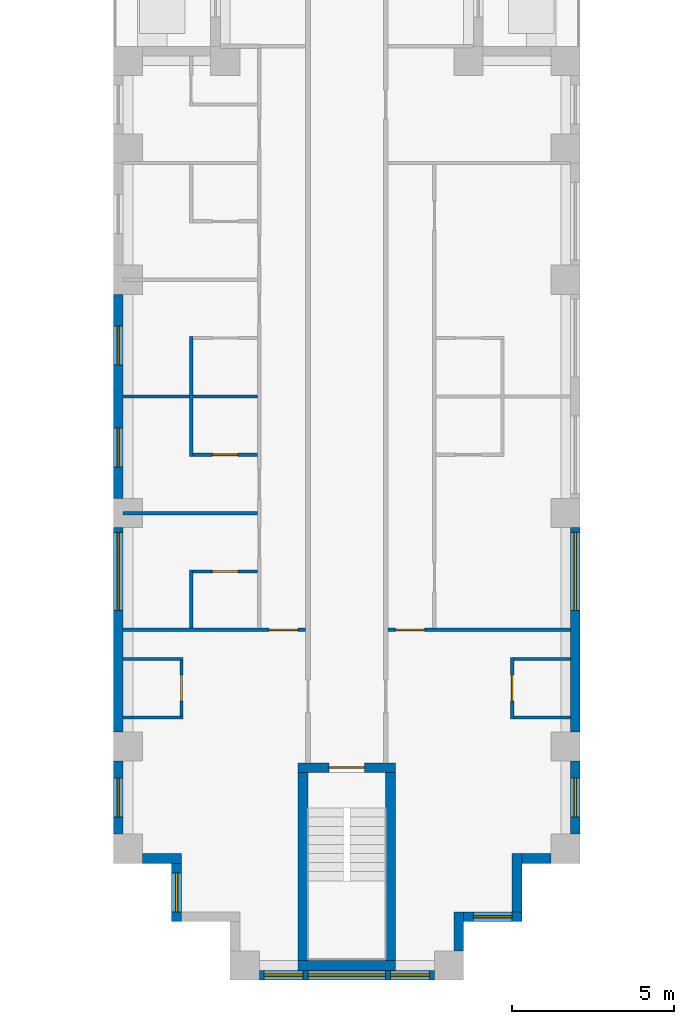
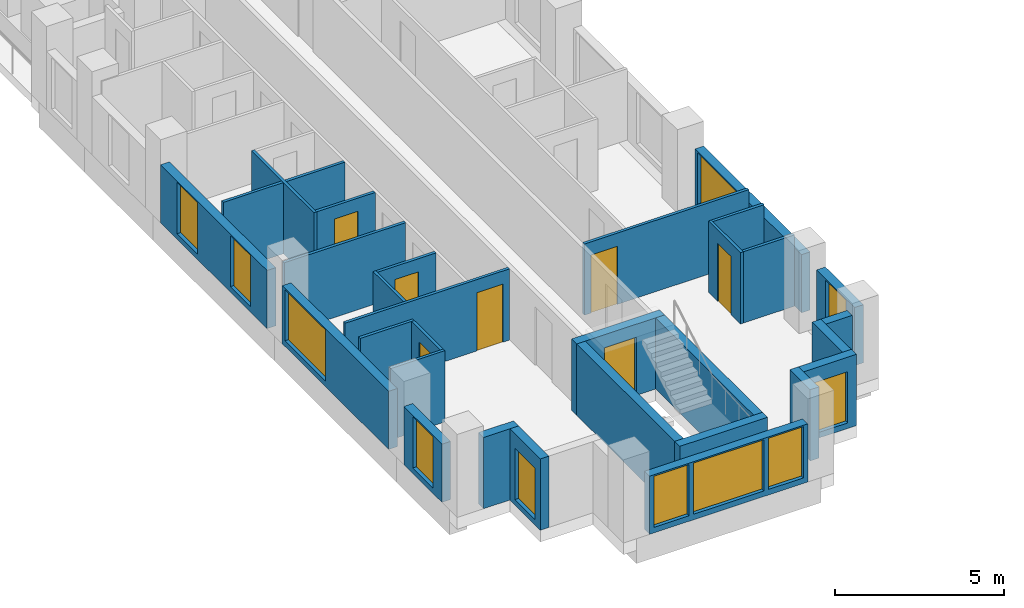
# One storey, part 3 of 15: 30 walls, 11 windows, 7 doors, 18 openings.
"""IFC4 building model written with IfcOpenShell, lengths in metres."""

from ifc_helpers import new_model, si_unit, direction, frame, frame_2d, origin, place, context, subcontext, project, spatial, rectangle, extrude, material, layer, layer_set, type_object, element, fill, save


model = new_model("IFC4")

# Units and contexts
model_context = context("Model", 3, precision=1e-05, world=origin(), true_north=direction((0.0, 1.0)))
body_context = subcontext(model_context, "Body", "Model", "MODEL_VIEW")
ifc_project = project(units=[si_unit("LENGTHUNIT", "METRE"), si_unit("AREAUNIT", "SQUARE_METRE"), si_unit("VOLUMEUNIT", "CUBIC_METRE"), si_unit("PLANEANGLEUNIT", "RADIAN"), si_unit("MASSUNIT", "GRAM", prefix="KILO")], contexts=[model_context])

# Site, building, storey
site_placement = place(None, origin())
site = spatial("IfcSite", under=ifc_project, at=site_placement, CompositionType="ELEMENT")
building_placement = place(site_placement, origin())
building = spatial("IfcBuilding", under=site, at=building_placement, Name="Fustian Cross Tower", CompositionType="ELEMENT")
storey_placement = place(building_placement, frame((0.0, 0.0, 17.699951171875)))
storey = spatial("IfcBuildingStorey", under=building, at=storey_placement, Name="L04", CompositionType="ELEMENT", Elevation=17.699951171875)

# Walls
ifc_material_1 = material(Name="Plasterboard on steel stud", Category="steel")
ifc_layer_1 = layer(ifc_material_1, 0.10009765625)
ifc_layer_set_1 = layer_set([ifc_layer_1], Name="Plasterboard on steel stud")
wall_type_1 = type_object("IfcWallType", Name="PARTITION 100 STUD", PredefinedType="PARTITIONING", material=ifc_layer_set_1)
for number, where, z_axis, x_axis, name in (
    (1, (-6.89990234375, -35.10009765625, 0.0), (0.0, 0.0, 1.0), (1.0, 0.0, 0.0), "Partition 10"),
    (2, (-6.89990234375, -33.300048828125, 0.0), (0.0, 0.0, 1.0), (1.0, 0.0, 0.0), "Partition 11"),
):
    element("IfcWall", number, at=place(storey_placement, frame(where, z_axis=z_axis, x_axis=x_axis)), inside=storey, type_object=wall_type_1, Name=name, PredefinedType="PARTITIONING", context=body_context, shape_type="SweptSolid", body=[
        extrude(rectangle(XDim=1.849853515625, YDim=0.10009765625, at=frame_2d((0.9248046875, 0.0))), origin(), (0.0, 0.0, 1.0), 2.574951171875),
    ])

# Wall, opening, door
wall_1_placement = place(storey_placement, frame((-6.89990234375, -32.39990234375, 0.0), z_axis=(0.0, 0.0, 1.0), x_axis=(1.0, 0.0, 0.0)))
wall_1 = element("IfcWall", 3, at=wall_1_placement, inside=storey, type_object=wall_type_1, Name="Partition 12", PredefinedType="PARTITIONING", context=body_context, shape_type="SweptSolid", body=[
    extrude(rectangle(XDim=5.625, YDim=0.10009765625, at=frame_2d((2.8125, 0.0))), origin(), (0.0, 0.0, 1.0), 2.574951171875),
])
opening_1_placement = place(wall_1_placement, frame((4.5, 0.0, 0.0)))
opening_1 = element("IfcOpeningElement", 4, at=opening_1_placement, cuts=wall_1, Name="Opening D04073", PredefinedType="OPENING", context=body_context, shape_type="SweptSolid", body=[
    extrude(rectangle(XDim=0.89990234375, YDim=2.10009765625, at=frame_2d((0.449951171875, 1.050048828125))), frame((0.0, 0.06005859375, 0.0), z_axis=(0.0, -1.0, 0.0), x_axis=(1.0, 0.0, 0.0)), (0.0, 0.0, 1.0), 0.1201171875),
])
ifc_material_2 = material(Name="Painted timber", Category="wood")
door_type_1 = type_object("IfcDoorType", Name="SWING DOOR 900", OperationType="SINGLE_SWING_LEFT", PredefinedType="DOOR", material=ifc_material_2)
door_1_placement = place(opening_1_placement, origin())
door_1 = element("IfcDoor", 5, at=door_1_placement, inside=storey, type_object=door_type_1, Name="Door D04073", OperationType="SINGLE_SWING_LEFT", OverallHeight=2.10009765625, OverallWidth=0.89990234375, PredefinedType="DOOR", context=body_context, shape_type="SweptSolid", body=[
    extrude(rectangle(XDim=0.89990234375, YDim=2.10009765625, at=frame_2d((0.449951171875, 1.050048828125))), frame((0.0, 0.02490234375, 0.0), z_axis=(0.0, -1.0, 0.0), x_axis=(1.0, 0.0, 0.0)), (0.0, 0.0, 1.0), 0.050048828125),
])
fill(opening_1, door_1)

# Walls
for number, where, z_axis, x_axis, name in (
    (6, (-6.89990234375, -28.800048828125, 0.0), (0.0, 0.0, 1.0), (1.0, 0.0, 0.0), "Partition 13"),
    (7, (-6.89990234375, -25.199951171875, 0.0), (0.0, 0.0, 1.0), (1.0, 0.0, 0.0), "Partition 14"),
):
    element("IfcWall", number, at=place(storey_placement, frame(where, z_axis=z_axis, x_axis=x_axis)), inside=storey, type_object=wall_type_1, Name=name, PredefinedType="PARTITIONING", context=body_context, shape_type="SweptSolid", body=[
        extrude(rectangle(XDim=4.14990234375, YDim=0.10009765625, at=frame_2d((2.074951171875, 0.0))), origin(), (0.0, 0.0, 1.0), 2.574951171875),
    ])

# Wall, opening, door
wall_2_placement = place(storey_placement, frame((-5.10009765625, -35.050048828125, 0.0), z_axis=(0.0, 0.0, 1.0), x_axis=(0.0, 1.0, 0.0)))
wall_2 = element("IfcWall", 8, at=wall_2_placement, inside=storey, type_object=wall_type_1, Name="Partition 24", PredefinedType="PARTITIONING", context=body_context, shape_type="SweptSolid", body=[
    extrude(rectangle(XDim=1.699951171875, YDim=0.10009765625, at=frame_2d((0.85009765625, 0.0))), origin(), (0.0, 0.0, 1.0), 2.574951171875),
])
opening_2_placement = place(wall_2_placement, frame((0.449951171875, 0.0, 0.0)))
opening_2 = element("IfcOpeningElement", 9, at=opening_2_placement, cuts=wall_2, Name="Opening D04066", PredefinedType="OPENING", context=body_context, shape_type="SweptSolid", body=[
    extrude(rectangle(XDim=0.800048828125, YDim=2.10009765625, at=frame_2d((0.39990234375, 1.050048828125))), frame((0.0, 0.06005859375, 0.0), z_axis=(0.0, -1.0, 0.0), x_axis=(1.0, 0.0, 0.0)), (0.0, 0.0, 1.0), 0.1201171875),
])
ifc_material_3 = material(Name="Painted timber", Category="wood")
door_type_2 = type_object("IfcDoorType", Name="SWING DOOR 800", OperationType="SINGLE_SWING_LEFT", PredefinedType="DOOR", material=ifc_material_3)
door_2_placement = place(opening_2_placement, origin())
door_2 = element("IfcDoor", 10, at=door_2_placement, inside=storey, type_object=door_type_2, Name="Door D04066", OperationType="SINGLE_SWING_RIGHT", OverallHeight=2.10009765625, OverallWidth=0.800048828125, PredefinedType="DOOR", context=body_context, shape_type="SweptSolid", body=[
    extrude(rectangle(XDim=0.800048828125, YDim=2.10009765625, at=frame_2d((0.39990234375, 1.050048828125))), frame((0.0, 0.02490234375, 0.0), z_axis=(0.0, -1.0, 0.0), x_axis=(1.0, 0.0, 0.0)), (0.0, 0.0, 1.0), 0.050048828125),
])
fill(opening_2, door_2)

# Wall
wall_3_placement = place(storey_placement, frame((-4.800048828125, -32.35009765625, 0.0), z_axis=(0.0, 0.0, 1.0), x_axis=(0.0, 1.0, 0.0)))
element("IfcWall", 11, at=wall_3_placement, inside=storey, type_object=wall_type_1, Name="Partition 26", PredefinedType="PARTITIONING", context=body_context, shape_type="SweptSolid", body=[
    extrude(rectangle(XDim=1.800048828125, YDim=0.10009765625, at=frame_2d((0.89990234375, 0.0))), origin(), (0.0, 0.0, 1.0), 2.574951171875),
])

# Wall, opening, door
wall_4_placement = place(storey_placement, frame((-4.75, -30.60009765625, 0.0), z_axis=(0.0, 0.0, 1.0), x_axis=(1.0, 0.0, 0.0)))
wall_4 = element("IfcWall", 12, at=wall_4_placement, inside=storey, type_object=wall_type_1, Name="Partition 27", PredefinedType="PARTITIONING", context=body_context, shape_type="SweptSolid", body=[
    extrude(rectangle(XDim=2.0, YDim=0.10009765625, at=frame_2d((1.0, 0.0))), origin(), (0.0, 0.0, 1.0), 2.574951171875),
])
opening_3_placement = place(wall_4_placement, frame((0.60009765625, 0.0, 0.0)))
opening_3 = element("IfcOpeningElement", 13, at=opening_3_placement, cuts=wall_4, Name="Opening D04078", PredefinedType="OPENING", context=body_context, shape_type="SweptSolid", body=[
    extrude(rectangle(XDim=0.800048828125, YDim=2.10009765625, at=frame_2d((0.39990234375, 1.050048828125))), frame((0.0, 0.06005859375, 0.0), z_axis=(0.0, -1.0, 0.0), x_axis=(1.0, 0.0, 0.0)), (0.0, 0.0, 1.0), 0.1201171875),
])
door_3_placement = place(opening_3_placement, frame((0.800048828125, 0.0, 0.0), z_axis=(0.0, 0.0, 1.0), x_axis=(-1.0, 0.0, 0.0)))
door_3 = element("IfcDoor", 14, at=door_3_placement, inside=storey, type_object=door_type_2, Name="Door D04078", OperationType="SINGLE_SWING_RIGHT", OverallHeight=2.10009765625, OverallWidth=0.800048828125, PredefinedType="DOOR", context=body_context, shape_type="SweptSolid", body=[
    extrude(rectangle(XDim=0.800048828125, YDim=2.10009765625, at=frame_2d((0.39990234375, 1.050048828125))), frame((0.0, 0.02490234375, 0.0), z_axis=(0.0, -1.0, 0.0), x_axis=(1.0, 0.0, 0.0)), (0.0, 0.0, 1.0), 0.050048828125),
])
fill(opening_3, door_3)

# Wall
wall_5_placement = place(storey_placement, frame((-4.800048828125, -27.050048828125, 0.0), z_axis=(0.0, 0.0, 1.0), x_axis=(0.0, 1.0, 0.0)))
element("IfcWall", 15, at=wall_5_placement, inside=storey, type_object=wall_type_1, Name="Partition 28", PredefinedType="PARTITIONING", context=body_context, shape_type="SweptSolid", body=[
    extrude(rectangle(XDim=3.699951171875, YDim=0.10009765625, at=frame_2d((1.85009765625, 0.0))), origin(), (0.0, 0.0, 1.0), 2.574951171875),
])

# Wall, opening, door
wall_6_placement = place(storey_placement, frame((-4.75, -27.0, 0.0), z_axis=(0.0, 0.0, 1.0), x_axis=(1.0, 0.0, 0.0)))
wall_6 = element("IfcWall", 16, at=wall_6_placement, inside=storey, type_object=wall_type_1, Name="Partition 29", PredefinedType="PARTITIONING", context=body_context, shape_type="SweptSolid", body=[
    extrude(rectangle(XDim=2.0, YDim=0.10009765625, at=frame_2d((1.0, 0.0))), origin(), (0.0, 0.0, 1.0), 2.574951171875),
])
opening_4_placement = place(wall_6_placement, frame((0.60009765625, 0.0, 0.0)))
opening_4 = element("IfcOpeningElement", 17, at=opening_4_placement, cuts=wall_6, Name="Opening D04077", PredefinedType="OPENING", context=body_context, shape_type="SweptSolid", body=[
    extrude(rectangle(XDim=0.800048828125, YDim=2.10009765625, at=frame_2d((0.39990234375, 1.050048828125))), frame((0.0, 0.06005859375, 0.0), z_axis=(0.0, -1.0, 0.0), x_axis=(1.0, 0.0, 0.0)), (0.0, 0.0, 1.0), 0.1201171875),
])
door_4_placement = place(opening_4_placement, origin())
door_4 = element("IfcDoor", 18, at=door_4_placement, inside=storey, type_object=door_type_2, Name="Door D04077", OperationType="SINGLE_SWING_LEFT", OverallHeight=2.10009765625, OverallWidth=0.800048828125, PredefinedType="DOOR", context=body_context, shape_type="SweptSolid", body=[
    extrude(rectangle(XDim=0.800048828125, YDim=2.10009765625, at=frame_2d((0.39990234375, 1.050048828125))), frame((0.0, 0.02490234375, 0.0), z_axis=(0.0, -1.0, 0.0), x_axis=(1.0, 0.0, 0.0)), (0.0, 0.0, 1.0), 0.050048828125),
])
fill(opening_4, door_4)

wall_7_placement = place(storey_placement, frame((1.27490234375, -32.39990234375, 0.0), z_axis=(0.0, 0.0, 1.0), x_axis=(1.0, 0.0, 0.0)))
wall_7 = element("IfcWall", 19, at=wall_7_placement, inside=storey, type_object=wall_type_1, Name="Partition 57", PredefinedType="PARTITIONING", context=body_context, shape_type="SweptSolid", body=[
    extrude(rectangle(XDim=5.625, YDim=0.10009765625, at=frame_2d((2.8125, 0.0))), origin(), (0.0, 0.0, 1.0), 2.574951171875),
])
opening_5_placement = place(wall_7_placement, frame((0.22509765625, 0.0, 0.0)))
opening_5 = element("IfcOpeningElement", 20, at=opening_5_placement, cuts=wall_7, Name="Opening D04060", PredefinedType="OPENING", context=body_context, shape_type="SweptSolid", body=[
    extrude(rectangle(XDim=0.89990234375, YDim=2.10009765625, at=frame_2d((0.449951171875, 1.050048828125))), frame((0.0, 0.06005859375, 0.0), z_axis=(0.0, -1.0, 0.0), x_axis=(1.0, 0.0, 0.0)), (0.0, 0.0, 1.0), 0.1201171875),
])
door_5_placement = place(opening_5_placement, origin())
door_5 = element("IfcDoor", 21, at=door_5_placement, inside=storey, type_object=door_type_1, Name="Door D04060", OperationType="SINGLE_SWING_LEFT", OverallHeight=2.10009765625, OverallWidth=0.89990234375, PredefinedType="DOOR", context=body_context, shape_type="SweptSolid", body=[
    extrude(rectangle(XDim=0.89990234375, YDim=2.10009765625, at=frame_2d((0.449951171875, 1.050048828125))), frame((0.0, 0.02490234375, 0.0), z_axis=(0.0, -1.0, 0.0), x_axis=(1.0, 0.0, 0.0)), (0.0, 0.0, 1.0), 0.050048828125),
])
fill(opening_5, door_5)

wall_8_placement = place(storey_placement, frame((5.10009765625, -35.14990234375, 0.0), z_axis=(0.0, 0.0, 1.0), x_axis=(0.0, 1.0, 0.0)))
wall_8 = element("IfcWall", 22, at=wall_8_placement, inside=storey, type_object=wall_type_1, Name="Partition 92", PredefinedType="PARTITIONING", context=body_context, shape_type="SweptSolid", body=[
    extrude(rectangle(XDim=1.89990234375, YDim=0.10009765625, at=frame_2d((0.949951171875, 0.0))), origin(), (0.0, 0.0, 1.0), 2.574951171875),
])
opening_6_placement = place(wall_8_placement, frame((0.550048828125, 0.0, 0.0)))
opening_6 = element("IfcOpeningElement", 23, at=opening_6_placement, cuts=wall_8, Name="Opening D04058", PredefinedType="OPENING", context=body_context, shape_type="SweptSolid", body=[
    extrude(rectangle(XDim=0.800048828125, YDim=2.10009765625, at=frame_2d((0.39990234375, 1.050048828125))), frame((0.0, 0.06005859375, 0.0), z_axis=(0.0, -1.0, 0.0), x_axis=(1.0, 0.0, 0.0)), (0.0, 0.0, 1.0), 0.1201171875),
])
door_6_placement = place(opening_6_placement, frame((0.800048828125, 0.0, 0.0), z_axis=(0.0, 0.0, 1.0), x_axis=(-1.0, 0.0, 0.0)))
door_6 = element("IfcDoor", 24, at=door_6_placement, inside=storey, type_object=door_type_2, Name="Door D04058", OperationType="SINGLE_SWING_LEFT", OverallHeight=2.10009765625, OverallWidth=0.800048828125, PredefinedType="DOOR", context=body_context, shape_type="SweptSolid", body=[
    extrude(rectangle(XDim=0.800048828125, YDim=2.10009765625, at=frame_2d((0.39990234375, 1.050048828125))), frame((0.0, 0.02490234375, 0.0), z_axis=(0.0, -1.0, 0.0), x_axis=(1.0, 0.0, 0.0)), (0.0, 0.0, 1.0), 0.050048828125),
])
fill(opening_6, door_6)

# Walls
for number, where, z_axis, x_axis, name in (
    (25, (5.14990234375, -35.10009765625, 0.0), (0.0, 0.0, 1.0), (1.0, 0.0, 0.0), "Partition 93"),
    (26, (5.14990234375, -33.300048828125, 0.0), (0.0, 0.0, 1.0), (1.0, 0.0, 0.0), "Partition 94"),
):
    element("IfcWall", number, at=place(storey_placement, frame(where, z_axis=z_axis, x_axis=x_axis)), inside=storey, type_object=wall_type_1, Name=name, PredefinedType="PARTITIONING", context=body_context, shape_type="SweptSolid", body=[
        extrude(rectangle(XDim=1.75, YDim=0.10009765625, at=frame_2d((0.875, 0.0))), origin(), (0.0, 0.0, 1.0), 2.574951171875),
    ])

# Wall, opening, door
ifc_material_4 = material(Name="Concrete C50/60", Category="concrete")
ifc_layer_2 = layer(ifc_material_4, 0.300048828125)
ifc_layer_set_2 = layer_set([ifc_layer_2], Name="Concrete C50/60")
wall_type_2 = type_object("IfcWallType", Name="STAIR ENCLOSURE WALL 300 C50/60", PredefinedType="SHEAR", material=ifc_layer_set_2)
wall_9_placement = place(storey_placement, frame((-1.5, -36.64990234375, 0.0), z_axis=(0.0, 0.0, 1.0), x_axis=(1.0, 0.0, 0.0)))
wall_9 = element("IfcWall", 27, at=wall_9_placement, inside=storey, type_object=wall_type_2, Name="Stair enclosure wall", PredefinedType="SHEAR", context=body_context, shape_type="SweptSolid", body=[
    extrude(rectangle(XDim=3.0, YDim=0.300048828125, at=frame_2d((1.5, 0.0))), origin(), (0.0, 0.0, 1.0), 2.574951171875),
])
opening_7_placement = place(wall_9_placement, frame((0.949951171875, 0.0, 0.0)))
opening_7 = element("IfcOpeningElement", 28, at=opening_7_placement, cuts=wall_9, Name="Opening CD-04-30", PredefinedType="OPENING", context=body_context, shape_type="SweptSolid", body=[
    extrude(rectangle(XDim=1.10009765625, YDim=2.10009765625, at=frame_2d((0.550048828125, 1.050048828125))), frame((0.0, 0.159912109375, 0.0), z_axis=(0.0, -1.0, 0.0), x_axis=(1.0, 0.0, 0.0)), (0.0, 0.0, 1.0), 0.320068359375),
])
ifc_material_5 = material(Name="Steel", Category="steel")
door_type_3 = type_object("IfcDoorType", Name="FIRE DOOR FD60S 1100X2100", OperationType="SINGLE_SWING_LEFT", PredefinedType="DOOR", material=ifc_material_5)
door_7_placement = place(opening_7_placement, frame((1.10009765625, 0.0, 0.0), z_axis=(0.0, 0.0, 1.0), x_axis=(-1.0, 0.0, 0.0)))
door_7 = element("IfcDoor", 29, at=door_7_placement, inside=storey, type_object=door_type_3, Name="Core door CD-04-30", OperationType="SINGLE_SWING_RIGHT", OverallHeight=2.10009765625, OverallWidth=1.10009765625, PredefinedType="DOOR", context=body_context, shape_type="SweptSolid", body=[
    extrude(rectangle(XDim=1.10009765625, YDim=2.10009765625, at=frame_2d((0.550048828125, 1.050048828125))), frame((0.0, 0.02490234375, 0.0), z_axis=(0.0, -1.0, 0.0), x_axis=(1.0, 0.0, 0.0)), (0.0, 0.0, 1.0), 0.050048828125),
])
fill(opening_7, door_7)

# Walls
wall_10_placement = place(storey_placement, frame((-1.5, -42.75, 0.0), z_axis=(0.0, 0.0, 1.0), x_axis=(1.0, 0.0, 0.0)))
element("IfcWall", 30, at=wall_10_placement, inside=storey, type_object=wall_type_2, Name="Stair enclosure wall", PredefinedType="SHEAR", context=body_context, shape_type="SweptSolid", body=[
    extrude(rectangle(XDim=3.0, YDim=0.300048828125, at=frame_2d((1.5, 0.0))), origin(), (0.0, 0.0, 1.0), 2.574951171875),
])
for number, where, z_axis, x_axis, name in (
    (31, (-1.35009765625, -36.800048828125, 0.0), (0.0, 0.0, 1.0), (0.0, -1.0, 0.0), "Stair enclosure wall"),
    (32, (1.35009765625, -36.800048828125, 0.0), (0.0, 0.0, 1.0), (0.0, -1.0, 0.0), "Stair enclosure wall"),
):
    element("IfcWall", number, at=place(storey_placement, frame(where, z_axis=z_axis, x_axis=x_axis)), inside=storey, type_object=wall_type_2, Name=name, PredefinedType="SHEAR", context=body_context, shape_type="SweptSolid", body=[
        extrude(rectangle(XDim=5.800048828125, YDim=0.300048828125, at=frame_2d((2.89990234375, 0.0))), origin(), (0.0, 0.0, 1.0), 2.574951171875),
    ])

# Wall, openings, windows
ifc_material_6 = material(Name="Dark aluminium cladding on insulated backing wall", Category="aluminium")
ifc_layer_3 = layer(ifc_material_6, 0.300048828125)
ifc_layer_set_3 = layer_set([ifc_layer_3], Name="Dark aluminium cladding on insulated backing wall")
wall_type_3 = type_object("IfcWallType", Name="XW1 EXTERNAL WALL 300", PredefinedType="SOLIDWALL", material=ifc_layer_set_3)
wall_11_placement = place(storey_placement, frame((-7.050048828125, -22.050048828125, 0.0), z_axis=(0.0, 0.0, 1.0), x_axis=(0.0, -1.0, 0.0)))
wall_11 = element("IfcWall", 33, at=wall_11_placement, inside=storey, type_object=wall_type_3, Name="External wall", PredefinedType="SOLIDWALL", context=body_context, shape_type="SweptSolid", body=[
    extrude(rectangle(XDim=6.300048828125, YDim=0.300048828125, at=frame_2d((3.14990234375, 0.0))), origin(), (0.0, 0.0, 1.0), 2.10009765625),
])
opening_8_placement = place(wall_11_placement, frame((0.97509765625, 0.0, 0.199951171875)))
opening_8 = element("IfcOpeningElement", 34, at=opening_8_placement, cuts=wall_11, Name="Opening WN3", PredefinedType="OPENING", context=body_context, shape_type="SweptSolid", body=[
    extrude(rectangle(XDim=1.199951171875, YDim=1.85009765625, at=frame_2d((0.60009765625, 0.925048828125))), frame((0.0, 0.159912109375, 0.0), z_axis=(0.0, -1.0, 0.0), x_axis=(1.0, 0.0, 0.0)), (0.0, 0.0, 1.0), 0.320068359375),
])
opening_9_placement = place(wall_11_placement, frame((4.125, 0.0, 0.199951171875)))
opening_9 = element("IfcOpeningElement", 35, at=opening_9_placement, cuts=wall_11, Name="Opening WN3", PredefinedType="OPENING", context=body_context, shape_type="SweptSolid", body=[
    extrude(rectangle(XDim=1.199951171875, YDim=1.85009765625, at=frame_2d((0.60009765625, 0.925048828125))), frame((0.0, 0.159912109375, 0.0), z_axis=(0.0, -1.0, 0.0), x_axis=(1.0, 0.0, 0.0)), (0.0, 0.0, 1.0), 0.320068359375),
])
ifc_material_7 = material(Name="Dark anodised aluminium and double glazing", Category="aluminium")
window_type_1 = type_object("IfcWindowType", Name="WN3 WINDOW 1200X1850", PartitioningType="SINGLE_PANEL", PredefinedType="WINDOW", material=ifc_material_7)
window_1_placement = place(opening_8_placement, origin())
window_1 = element("IfcWindow", 36, at=window_1_placement, inside=storey, type_object=window_type_1, Name="Window", OverallHeight=1.85009765625, OverallWidth=1.199951171875, PartitioningType="SINGLE_PANEL", PredefinedType="WINDOW", context=body_context, shape_type="SweptSolid", body=[
    extrude(rectangle(XDim=1.199951171875, YDim=1.85009765625, at=frame_2d((0.60009765625, 0.925048828125))), frame((0.0, 0.030029296875, 0.0), z_axis=(0.0, -1.0, 0.0), x_axis=(1.0, 0.0, 0.0)), (0.0, 0.0, 1.0), 0.06005859375),
])
fill(opening_8, window_1)
window_2_placement = place(opening_9_placement, origin())
window_2 = element("IfcWindow", 37, at=window_2_placement, inside=storey, type_object=window_type_1, Name="Window", OverallHeight=1.85009765625, OverallWidth=1.199951171875, PartitioningType="SINGLE_PANEL", PredefinedType="WINDOW", context=body_context, shape_type="SweptSolid", body=[
    extrude(rectangle(XDim=1.199951171875, YDim=1.85009765625, at=frame_2d((0.60009765625, 0.925048828125))), frame((0.0, 0.030029296875, 0.0), z_axis=(0.0, -1.0, 0.0), x_axis=(1.0, 0.0, 0.0)), (0.0, 0.0, 1.0), 0.06005859375),
])
fill(opening_9, window_2)

# Wall, opening, window
wall_12_placement = place(storey_placement, frame((-7.050048828125, -29.25, 0.0), z_axis=(0.0, 0.0, 1.0), x_axis=(0.0, -1.0, 0.0)))
wall_12 = element("IfcWall", 38, at=wall_12_placement, inside=storey, type_object=wall_type_3, Name="External wall", PredefinedType="SOLIDWALL", context=body_context, shape_type="SweptSolid", body=[
    extrude(rectangle(XDim=6.300048828125, YDim=0.300048828125, at=frame_2d((3.14990234375, 0.0))), origin(), (0.0, 0.0, 1.0), 2.10009765625),
])
opening_10_placement = place(wall_12_placement, frame((0.14990234375, 0.0, 0.199951171875)))
opening_10 = element("IfcOpeningElement", 39, at=opening_10_placement, cuts=wall_12, Name="Opening WN1", PredefinedType="OPENING", context=body_context, shape_type="SweptSolid", body=[
    extrude(rectangle(XDim=2.39990234375, YDim=1.85009765625, at=frame_2d((1.199951171875, 0.925048828125))), frame((0.0, 0.159912109375, 0.0), z_axis=(0.0, -1.0, 0.0), x_axis=(1.0, 0.0, 0.0)), (0.0, 0.0, 1.0), 0.320068359375),
])
ifc_material_8 = material(Name="Dark anodised aluminium and double glazing", Category="aluminium")
window_type_2 = type_object("IfcWindowType", Name="WN1 WINDOW 2400X1850", PartitioningType="SINGLE_PANEL", PredefinedType="WINDOW", material=ifc_material_8)
window_3_placement = place(opening_10_placement, origin())
window_3 = element("IfcWindow", 40, at=window_3_placement, inside=storey, type_object=window_type_2, Name="Window", OverallHeight=1.85009765625, OverallWidth=2.39990234375, PartitioningType="SINGLE_PANEL", PredefinedType="WINDOW", context=body_context, shape_type="SweptSolid", body=[
    extrude(rectangle(XDim=2.39990234375, YDim=1.85009765625, at=frame_2d((1.199951171875, 0.925048828125))), frame((0.0, 0.030029296875, 0.0), z_axis=(0.0, -1.0, 0.0), x_axis=(1.0, 0.0, 0.0)), (0.0, 0.0, 1.0), 0.06005859375),
])
fill(opening_10, window_3)

wall_13_placement = place(storey_placement, frame((-7.050048828125, -36.449951171875, 0.0), z_axis=(0.0, 0.0, 1.0), x_axis=(0.0, -1.0, 0.0)))
wall_13 = element("IfcWall", 41, at=wall_13_placement, inside=storey, type_object=wall_type_3, Name="External wall", PredefinedType="SOLIDWALL", context=body_context, shape_type="SweptSolid", body=[
    extrude(rectangle(XDim=2.25, YDim=0.300048828125, at=frame_2d((1.125, 0.0))), origin(), (0.0, 0.0, 1.0), 2.10009765625),
])
opening_11_placement = place(wall_13_placement, frame((0.52490234375, 0.0, 0.199951171875)))
opening_11 = element("IfcOpeningElement", 42, at=opening_11_placement, cuts=wall_13, Name="Opening WN3", PredefinedType="OPENING", context=body_context, shape_type="SweptSolid", body=[
    extrude(rectangle(XDim=1.199951171875, YDim=1.85009765625, at=frame_2d((0.60009765625, 0.925048828125))), frame((0.0, 0.159912109375, 0.0), z_axis=(0.0, -1.0, 0.0), x_axis=(1.0, 0.0, 0.0)), (0.0, 0.0, 1.0), 0.320068359375),
])
window_4_placement = place(opening_11_placement, origin())
window_4 = element("IfcWindow", 43, at=window_4_placement, inside=storey, type_object=window_type_1, Name="Window", OverallHeight=1.85009765625, OverallWidth=1.199951171875, PartitioningType="SINGLE_PANEL", PredefinedType="WINDOW", context=body_context, shape_type="SweptSolid", body=[
    extrude(rectangle(XDim=1.199951171875, YDim=1.85009765625, at=frame_2d((0.60009765625, 0.925048828125))), frame((0.0, 0.030029296875, 0.0), z_axis=(0.0, -1.0, 0.0), x_axis=(1.0, 0.0, 0.0)), (0.0, 0.0, 1.0), 0.06005859375),
])
fill(opening_11, window_4)

# Wall
wall_14_placement = place(storey_placement, frame((-6.300048828125, -39.449951171875, 0.0), z_axis=(0.0, 0.0, 1.0), x_axis=(1.0, 0.0, 0.0)))
element("IfcWall", 44, at=wall_14_placement, inside=storey, type_object=wall_type_3, Name="External wall", PredefinedType="SOLIDWALL", context=body_context, shape_type="SweptSolid", body=[
    extrude(rectangle(XDim=1.199951171875, YDim=0.300048828125, at=frame_2d((0.60009765625, 0.0))), origin(), (0.0, 0.0, 1.0), 2.574951171875),
])

# Wall, opening, window
wall_15_placement = place(storey_placement, frame((-5.25, -39.60009765625, 0.0), z_axis=(0.0, 0.0, 1.0), x_axis=(0.0, -1.0, 0.0)))
wall_15 = element("IfcWall", 45, at=wall_15_placement, inside=storey, type_object=wall_type_3, Name="External wall", PredefinedType="SOLIDWALL", context=body_context, shape_type="SweptSolid", body=[
    extrude(rectangle(XDim=1.7998046875, YDim=0.300048828125, at=frame_2d((0.89990234375, 0.0))), origin(), (0.0, 0.0, 1.0), 2.574951171875),
])
opening_12_placement = place(wall_15_placement, frame((0.300048828125, 0.0, 0.199951171875)))
opening_12 = element("IfcOpeningElement", 46, at=opening_12_placement, cuts=wall_15, Name="Opening WN3", PredefinedType="OPENING", context=body_context, shape_type="SweptSolid", body=[
    extrude(rectangle(XDim=1.199951171875, YDim=1.85009765625, at=frame_2d((0.60009765625, 0.925048828125))), frame((0.0, 0.159912109375, 0.0), z_axis=(0.0, -1.0, 0.0), x_axis=(1.0, 0.0, 0.0)), (0.0, 0.0, 1.0), 0.320068359375),
])
window_5_placement = place(opening_12_placement, origin())
window_5 = element("IfcWindow", 47, at=window_5_placement, inside=storey, type_object=window_type_1, Name="Window", OverallHeight=1.85009765625, OverallWidth=1.199951171875, PartitioningType="SINGLE_PANEL", PredefinedType="WINDOW", context=body_context, shape_type="SweptSolid", body=[
    extrude(rectangle(XDim=1.199951171875, YDim=1.85009765625, at=frame_2d((0.60009765625, 0.925048828125))), frame((0.0, 0.030029296875, 0.0), z_axis=(0.0, -1.0, 0.0), x_axis=(1.0, 0.0, 0.0)), (0.0, 0.0, 1.0), 0.06005859375),
])
fill(opening_12, window_5)

# Wall, openings, windows
wall_16_placement = place(storey_placement, frame((-2.699951171875, -43.050048828125, 0.0), z_axis=(0.0, 0.0, 1.0), x_axis=(1.0, 0.0, 0.0)))
wall_16 = element("IfcWall", 48, at=wall_16_placement, inside=storey, type_object=wall_type_3, Name="External wall", PredefinedType="SOLIDWALL", context=body_context, shape_type="SweptSolid", body=[
    extrude(rectangle(XDim=5.39990234375, YDim=0.300048828125, at=frame_2d((2.699951171875, 0.0))), origin(), (0.0, 0.0, 1.0), 2.10009765625),
])
opening_13_placement = place(wall_16_placement, frame((1.5, 0.0, 0.199951171875)))
opening_13 = element("IfcOpeningElement", 49, at=opening_13_placement, cuts=wall_16, Name="Opening WN1", PredefinedType="OPENING", context=body_context, shape_type="SweptSolid", body=[
    extrude(rectangle(XDim=2.39990234375, YDim=1.85009765625, at=frame_2d((1.199951171875, 0.925048828125))), frame((0.0, 0.159912109375, 0.0), z_axis=(0.0, -1.0, 0.0), x_axis=(1.0, 0.0, 0.0)), (0.0, 0.0, 1.0), 0.320068359375),
])
opening_14_placement = place(wall_16_placement, frame((0.14990234375, 0.0, 0.199951171875)))
opening_14 = element("IfcOpeningElement", 50, at=opening_14_placement, cuts=wall_16, Name="Opening WN3", PredefinedType="OPENING", context=body_context, shape_type="SweptSolid", body=[
    extrude(rectangle(XDim=1.199951171875, YDim=1.85009765625, at=frame_2d((0.60009765625, 0.925048828125))), frame((0.0, 0.159912109375, 0.0), z_axis=(0.0, -1.0, 0.0), x_axis=(1.0, 0.0, 0.0)), (0.0, 0.0, 1.0), 0.320068359375),
])
opening_15_placement = place(wall_16_placement, frame((4.050048828125, 0.0, 0.199951171875)))
opening_15 = element("IfcOpeningElement", 51, at=opening_15_placement, cuts=wall_16, Name="Opening WN3", PredefinedType="OPENING", context=body_context, shape_type="SweptSolid", body=[
    extrude(rectangle(XDim=1.199951171875, YDim=1.85009765625, at=frame_2d((0.60009765625, 0.925048828125))), frame((0.0, 0.159912109375, 0.0), z_axis=(0.0, -1.0, 0.0), x_axis=(1.0, 0.0, 0.0)), (0.0, 0.0, 1.0), 0.320068359375),
])
window_6_placement = place(opening_13_placement, origin())
window_6 = element("IfcWindow", 52, at=window_6_placement, inside=storey, type_object=window_type_2, Name="Window", OverallHeight=1.85009765625, OverallWidth=2.39990234375, PartitioningType="SINGLE_PANEL", PredefinedType="WINDOW", context=body_context, shape_type="SweptSolid", body=[
    extrude(rectangle(XDim=2.39990234375, YDim=1.85009765625, at=frame_2d((1.199951171875, 0.925048828125))), frame((0.0, 0.030029296875, 0.0), z_axis=(0.0, -1.0, 0.0), x_axis=(1.0, 0.0, 0.0)), (0.0, 0.0, 1.0), 0.06005859375),
])
fill(opening_13, window_6)
window_7_placement = place(opening_14_placement, origin())
window_7 = element("IfcWindow", 53, at=window_7_placement, inside=storey, type_object=window_type_1, Name="Window", OverallHeight=1.85009765625, OverallWidth=1.199951171875, PartitioningType="SINGLE_PANEL", PredefinedType="WINDOW", context=body_context, shape_type="SweptSolid", body=[
    extrude(rectangle(XDim=1.199951171875, YDim=1.85009765625, at=frame_2d((0.60009765625, 0.925048828125))), frame((0.0, 0.030029296875, 0.0), z_axis=(0.0, -1.0, 0.0), x_axis=(1.0, 0.0, 0.0)), (0.0, 0.0, 1.0), 0.06005859375),
])
fill(opening_14, window_7)
window_8_placement = place(opening_15_placement, origin())
window_8 = element("IfcWindow", 54, at=window_8_placement, inside=storey, type_object=window_type_1, Name="Window", OverallHeight=1.85009765625, OverallWidth=1.199951171875, PartitioningType="SINGLE_PANEL", PredefinedType="WINDOW", context=body_context, shape_type="SweptSolid", body=[
    extrude(rectangle(XDim=1.199951171875, YDim=1.85009765625, at=frame_2d((0.60009765625, 0.925048828125))), frame((0.0, 0.030029296875, 0.0), z_axis=(0.0, -1.0, 0.0), x_axis=(1.0, 0.0, 0.0)), (0.0, 0.0, 1.0), 0.06005859375),
])
fill(opening_15, window_8)

# Wall
wall_17_placement = place(storey_placement, frame((3.449951171875, -42.300048828125, 0.0), z_axis=(0.0, 0.0, 1.0), x_axis=(0.0, 1.0, 0.0)))
element("IfcWall", 55, at=wall_17_placement, inside=storey, type_object=wall_type_3, Name="External wall", PredefinedType="SOLIDWALL", context=body_context, shape_type="SweptSolid", body=[
    extrude(rectangle(XDim=1.199951171875, YDim=0.300048828125, at=frame_2d((0.60009765625, 0.0))), origin(), (0.0, 0.0, 1.0), 2.574951171875),
])

# Wall, opening, window
wall_18_placement = place(storey_placement, frame((3.60009765625, -41.25, 0.0), z_axis=(0.0, 0.0, 1.0), x_axis=(1.0, 0.0, 0.0)))
wall_18 = element("IfcWall", 56, at=wall_18_placement, inside=storey, type_object=wall_type_3, Name="External wall", PredefinedType="SOLIDWALL", context=body_context, shape_type="SweptSolid", body=[
    extrude(rectangle(XDim=1.7998046875, YDim=0.300048828125, at=frame_2d((0.89990234375, 0.0))), origin(), (0.0, 0.0, 1.0), 2.574951171875),
])
opening_16_placement = place(wall_18_placement, frame((0.300048828125, 0.0, 0.199951171875)))
opening_16 = element("IfcOpeningElement", 57, at=opening_16_placement, cuts=wall_18, Name="Opening WN3", PredefinedType="OPENING", context=body_context, shape_type="SweptSolid", body=[
    extrude(rectangle(XDim=1.199951171875, YDim=1.85009765625, at=frame_2d((0.60009765625, 0.925048828125))), frame((0.0, 0.159912109375, 0.0), z_axis=(0.0, -1.0, 0.0), x_axis=(1.0, 0.0, 0.0)), (0.0, 0.0, 1.0), 0.320068359375),
])
window_9_placement = place(opening_16_placement, origin())
window_9 = element("IfcWindow", 58, at=window_9_placement, inside=storey, type_object=window_type_1, Name="Window", OverallHeight=1.85009765625, OverallWidth=1.199951171875, PartitioningType="SINGLE_PANEL", PredefinedType="WINDOW", context=body_context, shape_type="SweptSolid", body=[
    extrude(rectangle(XDim=1.199951171875, YDim=1.85009765625, at=frame_2d((0.60009765625, 0.925048828125))), frame((0.0, 0.030029296875, 0.0), z_axis=(0.0, -1.0, 0.0), x_axis=(1.0, 0.0, 0.0)), (0.0, 0.0, 1.0), 0.06005859375),
])
fill(opening_16, window_9)

# Walls
wall_19_placement = place(storey_placement, frame((5.25, -41.10009765625, 0.0), z_axis=(0.0, 0.0, 1.0), x_axis=(0.0, 1.0, 0.0)))
element("IfcWall", 59, at=wall_19_placement, inside=storey, type_object=wall_type_3, Name="External wall", PredefinedType="SOLIDWALL", context=body_context, shape_type="SweptSolid", body=[
    extrude(rectangle(XDim=1.800048828125, YDim=0.300048828125, at=frame_2d((0.89990234375, 0.0))), origin(), (0.0, 0.0, 1.0), 2.574951171875),
])
wall_20_placement = place(storey_placement, frame((5.39990234375, -39.449951171875, 0.0), z_axis=(0.0, 0.0, 1.0), x_axis=(1.0, 0.0, 0.0)))
element("IfcWall", 60, at=wall_20_placement, inside=storey, type_object=wall_type_3, Name="External wall", PredefinedType="SOLIDWALL", context=body_context, shape_type="SweptSolid", body=[
    extrude(rectangle(XDim=0.900146484375, YDim=0.300048828125, at=frame_2d((0.4501953125, 0.0))), origin(), (0.0, 0.0, 1.0), 2.574951171875),
])

# Wall, opening, window
wall_21_placement = place(storey_placement, frame((7.050048828125, -38.699951171875, 0.0), z_axis=(0.0, 0.0, 1.0), x_axis=(0.0, 1.0, 0.0)))
wall_21 = element("IfcWall", 61, at=wall_21_placement, inside=storey, type_object=wall_type_3, Name="External wall", PredefinedType="SOLIDWALL", context=body_context, shape_type="SweptSolid", body=[
    extrude(rectangle(XDim=2.25, YDim=0.300048828125, at=frame_2d((1.125, 0.0))), origin(), (0.0, 0.0, 1.0), 2.10009765625),
])
opening_17_placement = place(wall_21_placement, frame((0.52490234375, 0.0, 0.199951171875)))
opening_17 = element("IfcOpeningElement", 62, at=opening_17_placement, cuts=wall_21, Name="Opening WN3", PredefinedType="OPENING", context=body_context, shape_type="SweptSolid", body=[
    extrude(rectangle(XDim=1.199951171875, YDim=1.85009765625, at=frame_2d((0.60009765625, 0.925048828125))), frame((0.0, 0.159912109375, 0.0), z_axis=(0.0, -1.0, 0.0), x_axis=(1.0, 0.0, 0.0)), (0.0, 0.0, 1.0), 0.320068359375),
])
window_10_placement = place(opening_17_placement, origin())
window_10 = element("IfcWindow", 63, at=window_10_placement, inside=storey, type_object=window_type_1, Name="Window", OverallHeight=1.85009765625, OverallWidth=1.199951171875, PartitioningType="SINGLE_PANEL", PredefinedType="WINDOW", context=body_context, shape_type="SweptSolid", body=[
    extrude(rectangle(XDim=1.199951171875, YDim=1.85009765625, at=frame_2d((0.60009765625, 0.925048828125))), frame((0.0, 0.030029296875, 0.0), z_axis=(0.0, -1.0, 0.0), x_axis=(1.0, 0.0, 0.0)), (0.0, 0.0, 1.0), 0.06005859375),
])
fill(opening_17, window_10)

wall_22_placement = place(storey_placement, frame((7.050048828125, -35.550048828125, 0.0), z_axis=(0.0, 0.0, 1.0), x_axis=(0.0, 1.0, 0.0)))
wall_22 = element("IfcWall", 64, at=wall_22_placement, inside=storey, type_object=wall_type_3, Name="External wall", PredefinedType="SOLIDWALL", context=body_context, shape_type="SweptSolid", body=[
    extrude(rectangle(XDim=6.300048828125, YDim=0.300048828125, at=frame_2d((3.14990234375, 0.0))), origin(), (0.0, 0.0, 1.0), 2.10009765625),
])
opening_18_placement = place(wall_22_placement, frame((3.75, 0.0, 0.199951171875)))
opening_18 = element("IfcOpeningElement", 65, at=opening_18_placement, cuts=wall_22, Name="Opening WN1", PredefinedType="OPENING", context=body_context, shape_type="SweptSolid", body=[
    extrude(rectangle(XDim=2.39990234375, YDim=1.85009765625, at=frame_2d((1.199951171875, 0.925048828125))), frame((0.0, 0.159912109375, 0.0), z_axis=(0.0, -1.0, 0.0), x_axis=(1.0, 0.0, 0.0)), (0.0, 0.0, 1.0), 0.320068359375),
])
window_11_placement = place(opening_18_placement, origin())
window_11 = element("IfcWindow", 66, at=window_11_placement, inside=storey, type_object=window_type_2, Name="Window", OverallHeight=1.85009765625, OverallWidth=2.39990234375, PartitioningType="SINGLE_PANEL", PredefinedType="WINDOW", context=body_context, shape_type="SweptSolid", body=[
    extrude(rectangle(XDim=2.39990234375, YDim=1.85009765625, at=frame_2d((1.199951171875, 0.925048828125))), frame((0.0, 0.030029296875, 0.0), z_axis=(0.0, -1.0, 0.0), x_axis=(1.0, 0.0, 0.0)), (0.0, 0.0, 1.0), 0.06005859375),
])
fill(opening_18, window_11)

save(model, "model.ifc")
